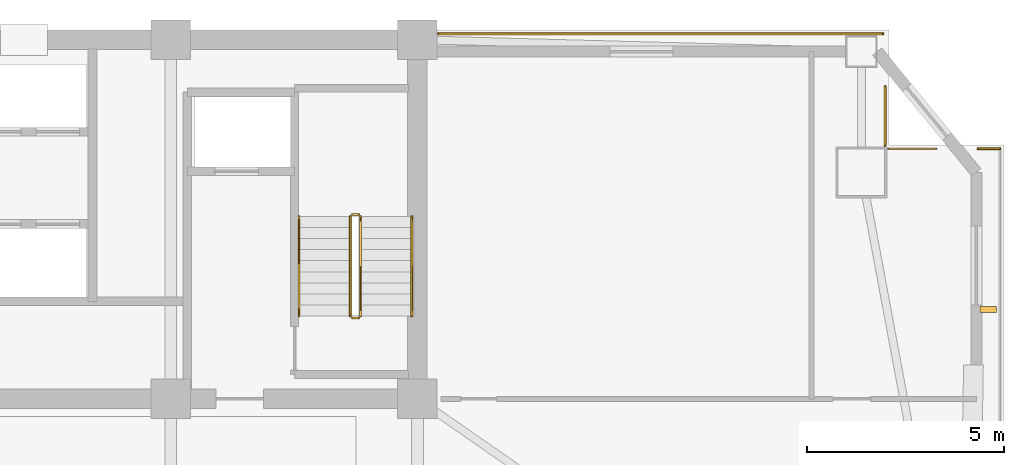
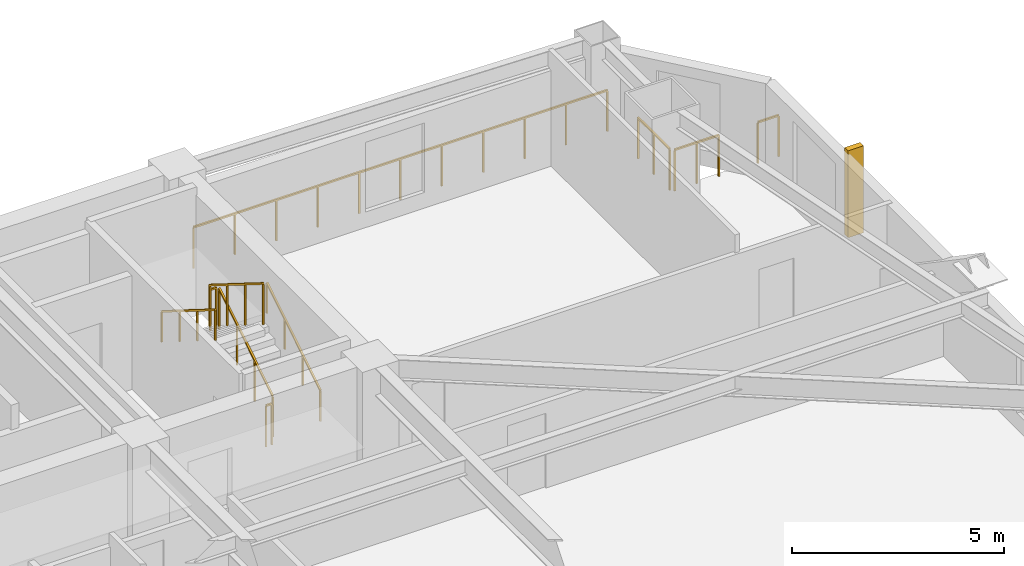
# One storey, part 16 of 16: 10 railings, 1 shading device.
"""IFC4 building model written with IfcOpenShell, lengths in metres."""

from ifc_helpers import new_model, si_unit, direction, frame, origin, origin_2d, place, context, subcontext, project, spatial, rectangle, extrude, source, transform, mapped, material, type_object, element, save


model = new_model("IFC4")

# Units and contexts
model_context = context("Model", 3, precision=1e-05, world=origin(), true_north=direction((0.0, 1.0)))
body_context = subcontext(model_context, "Body", "Model", "MODEL_VIEW")
ifc_project = project(units=[si_unit("LENGTHUNIT", "METRE"), si_unit("AREAUNIT", "SQUARE_METRE"), si_unit("VOLUMEUNIT", "CUBIC_METRE"), si_unit("PLANEANGLEUNIT", "RADIAN"), si_unit("MASSUNIT", "GRAM", prefix="KILO")], contexts=[model_context])

# Site, building, storey
site_placement = place(None, origin())
site = spatial("IfcSite", under=ifc_project, at=site_placement, CompositionType="ELEMENT")
building_placement = place(site_placement, origin())
building = spatial("IfcBuilding", under=site, at=building_placement, Name="Giltprow Tower", CompositionType="ELEMENT")
storey_placement = place(building_placement, frame((0.0, 0.0, 163.199951171875)))
storey = spatial("IfcBuildingStorey", under=building, at=storey_placement, Name="L40", CompositionType="ELEMENT", Elevation=163.199951171875)

# Railings
ifc_material = material(Name="Anodized bronze", Category="metal")
railing_type_1 = type_object("IfcRailingType", Name="RAIL-BALC-GUARD-1200", PredefinedType="BALUSTRADE", material=ifc_material)
railing_1_placement = place(storey_placement, frame((51.0849609375, 46.699951171875, 0.0)))
element("IfcRailing", 1, at=railing_1_placement, inside=storey, type_object=railing_type_1, Name="L40 Corner Apron Edge Balustrade 10", PredefinedType="BALUSTRADE", context=body_context, shape_type="SweptSolid", body=[
    extrude(rectangle(XDim=0.048095703125, YDim=0.048095703125, at=origin_2d()), frame((0.0, 0.0, 1.17578125), z_axis=(1.0, 0.0, 0.0), x_axis=(0.0, 1.0, 0.0)), (0.0, 0.0, 1.0), 11.257080078125),
    extrude(rectangle(XDim=0.0419921875, YDim=0.0419921875, at=origin_2d()), origin(), (0.0, 0.0, 1.0), 1.15185546875),
    extrude(rectangle(XDim=0.0419921875, YDim=0.0419921875, at=origin_2d()), frame((1.125732421875, 0.0, 0.0)), (0.0, 0.0, 1.0), 1.15185546875),
    extrude(rectangle(XDim=0.0419921875, YDim=0.0419921875, at=origin_2d()), frame((2.25146484375, 0.0, 0.0)), (0.0, 0.0, 1.0), 1.15185546875),
    extrude(rectangle(XDim=0.0419921875, YDim=0.0419921875, at=origin_2d()), frame((3.377197265625, 0.0, 0.0)), (0.0, 0.0, 1.0), 1.15185546875),
    extrude(rectangle(XDim=0.0419921875, YDim=0.0419921875, at=origin_2d()), frame((4.5029296875, 0.0, 0.0)), (0.0, 0.0, 1.0), 1.15185546875),
    extrude(rectangle(XDim=0.0419921875, YDim=0.0419921875, at=origin_2d()), frame((5.62841796875, 0.0, 0.0)), (0.0, 0.0, 1.0), 1.15185546875),
    extrude(rectangle(XDim=0.0419921875, YDim=0.0419921875, at=origin_2d()), frame((6.754150390625, 0.0, 0.0)), (0.0, 0.0, 1.0), 1.15185546875),
    extrude(rectangle(XDim=0.0419921875, YDim=0.0419921875, at=origin_2d()), frame((7.8798828125, 0.0, 0.0)), (0.0, 0.0, 1.0), 1.15185546875),
    extrude(rectangle(XDim=0.0419921875, YDim=0.0419921875, at=origin_2d()), frame((9.005615234375, 0.0, 0.0)), (0.0, 0.0, 1.0), 1.15185546875),
    extrude(rectangle(XDim=0.0419921875, YDim=0.0419921875, at=origin_2d()), frame((10.13134765625, 0.0, 0.0)), (0.0, 0.0, 1.0), 1.15185546875),
    extrude(rectangle(XDim=0.0419921875, YDim=0.0419921875, at=origin_2d()), frame((11.257080078125, 0.0, 0.0)), (0.0, 0.0, 1.0), 1.15185546875),
])
railing_2_placement = place(storey_placement, frame((62.403076171875, 45.360107421875, 0.0)))
element("IfcRailing", 2, at=railing_2_placement, inside=storey, type_object=railing_type_1, Name="L40 Corner Apron Edge Balustrade 11", PredefinedType="BALUSTRADE", context=body_context, shape_type="SweptSolid", body=[
    extrude(rectangle(XDim=0.048095703125, YDim=0.048095703125, at=origin_2d()), frame((0.0, 0.0, 1.17578125), z_axis=(0.0, -1.0, 0.0), x_axis=(1.0, 0.0, 0.0)), (0.0, 0.0, 1.0), 1.488037109375),
    extrude(rectangle(XDim=0.0419921875, YDim=0.0419921875, at=origin_2d()), origin(), (0.0, 0.0, 1.0), 1.15185546875),
    extrude(rectangle(XDim=0.0419921875, YDim=0.0419921875, at=origin_2d()), frame((0.0, -0.744140625, 0.0)), (0.0, 0.0, 1.0), 1.15185546875),
    extrude(rectangle(XDim=0.0419921875, YDim=0.0419921875, at=origin_2d()), frame((0.0, -1.488037109375, 0.0)), (0.0, 0.0, 1.0), 1.15185546875),
])
railing_3_placement = place(storey_placement, frame((62.488037109375, 43.787109375, 0.0)))
element("IfcRailing", 3, at=railing_3_placement, inside=storey, type_object=railing_type_1, Name="L40 Corner Apron Edge Balustrade 12", PredefinedType="BALUSTRADE", context=body_context, shape_type="SweptSolid", body=[
    extrude(rectangle(XDim=0.048095703125, YDim=0.048095703125, at=origin_2d()), frame((0.0, 0.0, 1.17578125), z_axis=(1.0, 0.0, 0.0), x_axis=(0.0, 1.0, 0.0)), (0.0, 0.0, 1.0), 1.205078125),
    extrude(rectangle(XDim=0.0419921875, YDim=0.0419921875, at=origin_2d()), origin(), (0.0, 0.0, 1.0), 1.15185546875),
    extrude(rectangle(XDim=0.0419921875, YDim=0.0419921875, at=origin_2d()), frame((0.6025390625, 0.0, 0.0)), (0.0, 0.0, 1.0), 1.15185546875),
    extrude(rectangle(XDim=0.0419921875, YDim=0.0419921875, at=origin_2d()), frame((1.205078125, 0.0, 0.0)), (0.0, 0.0, 1.0), 1.15185546875),
])
railing_4_placement = place(storey_placement, frame((64.75390625, 43.787109375, 0.0)))
element("IfcRailing", 4, at=railing_4_placement, inside=storey, type_object=railing_type_1, Name="L40 Corner Apron Edge Balustrade 13", PredefinedType="BALUSTRADE", context=body_context, shape_type="SweptSolid", body=[
    extrude(rectangle(XDim=0.048095703125, YDim=0.048095703125, at=origin_2d()), frame((0.0, 0.0, 1.17578125), z_axis=(1.0, 0.0, 0.0), x_axis=(0.0, 1.0, 0.0)), (0.0, 0.0, 1.0), 0.56201171875),
    extrude(rectangle(XDim=0.0419921875, YDim=0.0419921875, at=origin_2d()), origin(), (0.0, 0.0, 1.0), 1.15185546875),
    extrude(rectangle(XDim=0.0419921875, YDim=0.0419921875, at=origin_2d()), frame((0.56201171875, 0.0, 0.0)), (0.0, 0.0, 1.0), 1.15185546875),
])
railing_type_2 = type_object("IfcRailingType", Name="RAIL-STAIR-GUARD-1200", PredefinedType="GUARDRAIL", material=ifc_material)
railing_5_placement = place(storey_placement, frame((49.110107421875, 39.550048828125, 0.175048828125)))
element("IfcRailing", 5, at=railing_5_placement, inside=storey, type_object=railing_type_2, Name="L40 ST-3 stair guard 1", PredefinedType="GUARDRAIL", context=body_context, shape_type="SweptSolid", body=[
    extrude(rectangle(XDim=0.048095703125, YDim=0.048095703125, at=origin_2d()), frame((0.0, 0.0, 1.17578125), z_axis=(0.0, 0.848007534815, 0.529984170421), x_axis=(-1.0, 0.0, 0.0)), (0.0, 0.0, 1.0), 2.9716796875),
    extrude(rectangle(XDim=0.0419921875, YDim=0.0419921875, at=origin_2d()), origin(), (0.0, 0.0, 1.0), 1.15185546875),
    extrude(rectangle(XDim=0.0419921875, YDim=0.0419921875, at=origin_2d()), frame((0.0, 0.840087890625, 0.52490234375)), (0.0, 0.0, 1.0), 1.15185546875),
    extrude(rectangle(XDim=0.0419921875, YDim=0.0419921875, at=origin_2d()), frame((0.0, 1.679931640625, 1.050048828125)), (0.0, 0.0, 1.0), 1.15185546875),
    extrude(rectangle(XDim=0.0419921875, YDim=0.0419921875, at=origin_2d()), frame((0.0, 2.52001953125, 1.574951171875)), (0.0, 0.0, 1.0), 1.15185546875),
])
railing_6_placement = place(storey_placement, frame((49.06005859375, 42.1201171875, 1.75)))
element("IfcRailing", 6, at=railing_6_placement, inside=storey, type_object=railing_type_2, Name="L40 ST-3 stair guard 2", PredefinedType="GUARDRAIL", context=body_context, shape_type="SweptSolid", body=[
    extrude(rectangle(XDim=0.048095703125, YDim=0.048095703125, at=origin_2d()), frame((0.0, 0.0, 1.17578125), z_axis=(-1.0, 0.0, 0.0), x_axis=(0.0, -1.0, 0.0)), (0.0, 0.0, 1.0), 0.16015625),
    extrude(rectangle(XDim=0.0419921875, YDim=0.0419921875, at=origin_2d()), origin(), (0.0, 0.0, 1.0), 1.15185546875),
    extrude(rectangle(XDim=0.0419921875, YDim=0.0419921875, at=origin_2d()), frame((-0.16015625, 0.0, 0.0)), (0.0, 0.0, 1.0), 1.15185546875),
])
railing_7_placement = place(storey_placement, frame((48.85009765625, 42.070068359375, 1.925048828125)))
element("IfcRailing", 7, at=railing_7_placement, inside=storey, type_object=railing_type_2, Name="L40 ST-3 stair guard 3", PredefinedType="GUARDRAIL", context=body_context, shape_type="SweptSolid", body=[
    extrude(rectangle(XDim=0.048095703125, YDim=0.048095703125, at=origin_2d()), frame((0.0, 0.0, 1.17578125), z_axis=(0.0, -0.848007534815, 0.529984170421), x_axis=(1.0, 0.0, 0.0)), (0.0, 0.0, 1.0), 2.9716796875),
    extrude(rectangle(XDim=0.0419921875, YDim=0.0419921875, at=origin_2d()), origin(), (0.0, 0.0, 1.0), 1.15185546875),
    extrude(rectangle(XDim=0.0419921875, YDim=0.0419921875, at=origin_2d()), frame((0.0, -0.840087890625, 0.52490234375)), (0.0, 0.0, 1.0), 1.15185546875),
    extrude(rectangle(XDim=0.0419921875, YDim=0.0419921875, at=origin_2d()), frame((0.0, -1.679931640625, 1.050048828125)), (0.0, 0.0, 1.0), 1.15185546875),
    extrude(rectangle(XDim=0.0419921875, YDim=0.0419921875, at=origin_2d()), frame((0.0, -2.52001953125, 1.574951171875)), (0.0, 0.0, 1.0), 1.15185546875),
])
railing_8_placement = place(storey_placement, frame((49.06005859375, 39.5, 0.0)))
element("IfcRailing", 8, at=railing_8_placement, inside=storey, type_object=railing_type_2, Name="L40 ST-3 stair guard 4", PredefinedType="GUARDRAIL", context=body_context, shape_type="SweptSolid", body=[
    extrude(rectangle(XDim=0.048095703125, YDim=0.048095703125, at=origin_2d()), frame((0.0, 0.0, 1.17578125), z_axis=(-1.0, 0.0, 0.0), x_axis=(0.0, -1.0, 0.0)), (0.0, 0.0, 1.0), 0.16015625),
    extrude(rectangle(XDim=0.0419921875, YDim=0.0419921875, at=origin_2d()), origin(), (0.0, 0.0, 1.0), 1.15185546875),
    extrude(rectangle(XDim=0.0419921875, YDim=0.0419921875, at=origin_2d()), frame((-0.16015625, 0.0, 0.0)), (0.0, 0.0, 1.0), 1.15185546875),
])
railing_type_3 = type_object("IfcRailingType", Name="RAIL-STAIR-HAND-900", PredefinedType="HANDRAIL", material=ifc_material)
railing_9_placement = place(storey_placement, frame((50.409912109375, 39.550048828125, 0.175048828125)))
element("IfcRailing", 9, at=railing_9_placement, inside=storey, type_object=railing_type_3, Name="L40 ST-3 stair handrail 1", PredefinedType="HANDRAIL", context=body_context, shape_type="SweptSolid", body=[
    extrude(rectangle(XDim=0.048095703125, YDim=0.048095703125, at=origin_2d()), frame((0.0, 0.0, 0.8759765625), z_axis=(0.0, 0.848007534815, 0.529984170421), x_axis=(-1.0, 0.0, 0.0)), (0.0, 0.0, 1.0), 2.9716796875),
    extrude(rectangle(XDim=0.0419921875, YDim=0.0419921875, at=origin_2d()), origin(), (0.0, 0.0, 1.0), 0.851806640625),
    extrude(rectangle(XDim=0.0419921875, YDim=0.0419921875, at=origin_2d()), frame((0.0, 0.840087890625, 0.52490234375)), (0.0, 0.0, 1.0), 0.851806640625),
    extrude(rectangle(XDim=0.0419921875, YDim=0.0419921875, at=origin_2d()), frame((0.0, 1.679931640625, 1.050048828125)), (0.0, 0.0, 1.0), 0.851806640625),
    extrude(rectangle(XDim=0.0419921875, YDim=0.0419921875, at=origin_2d()), frame((0.0, 2.52001953125, 1.574951171875)), (0.0, 0.0, 1.0), 0.851806640625),
])
railing_10_placement = place(storey_placement, frame((47.550048828125, 42.070068359375, 1.925048828125)))
element("IfcRailing", 10, at=railing_10_placement, inside=storey, type_object=railing_type_3, Name="L40 ST-3 stair handrail 2", PredefinedType="HANDRAIL", context=body_context, shape_type="SweptSolid", body=[
    extrude(rectangle(XDim=0.048095703125, YDim=0.048095703125, at=origin_2d()), frame((0.0, 0.0, 0.8759765625), z_axis=(0.0, -0.848007534815, 0.529984170421), x_axis=(1.0, 0.0, 0.0)), (0.0, 0.0, 1.0), 2.9716796875),
    extrude(rectangle(XDim=0.0419921875, YDim=0.0419921875, at=origin_2d()), origin(), (0.0, 0.0, 1.0), 0.851806640625),
    extrude(rectangle(XDim=0.0419921875, YDim=0.0419921875, at=origin_2d()), frame((0.0, -0.840087890625, 0.52490234375)), (0.0, 0.0, 1.0), 0.851806640625),
    extrude(rectangle(XDim=0.0419921875, YDim=0.0419921875, at=origin_2d()), frame((0.0, -1.679931640625, 1.050048828125)), (0.0, 0.0, 1.0), 0.851806640625),
    extrude(rectangle(XDim=0.0419921875, YDim=0.0419921875, at=origin_2d()), frame((0.0, -2.52001953125, 1.574951171875)), (0.0, 0.0, 1.0), 0.851806640625),
])

# Shading device
shading_device_type = type_object("IfcShadingDeviceType", Name="SHD-FIN-420", PredefinedType="USERDEFINED", material=ifc_material)
shared_shape = source(origin(), body_context, "Body", "SweptSolid", [
    extrude(rectangle(XDim=0.419921875, YDim=0.159912109375, at=origin_2d()), origin(), (0.0, 0.0, 1.0), 2.5),
])
shading_device_placement = place(storey_placement, frame((65.01611328125, 39.712890625, 0.35009765625), z_axis=(0.0, 0.0, 1.0), x_axis=(1.0, 0.0, 0.0)))
element("IfcShadingDevice", 11, at=shading_device_placement, inside=storey, type_object=shading_device_type, Name="L40 E Bronze Vertical Fin 2-2", ObjectType="FIN", PredefinedType="USERDEFINED", context=body_context, shape_type="MappedRepresentation", body=[
    mapped(shared_shape, transform((0.0, 0.0, 0.0), x_axis=(1.0, 0.0, 0.0), y_axis=(0.0, 1.0, 0.0), z_axis=(0.0, 0.0, 1.0), scale=1.0)),
])

save(model, "model.ifc")
